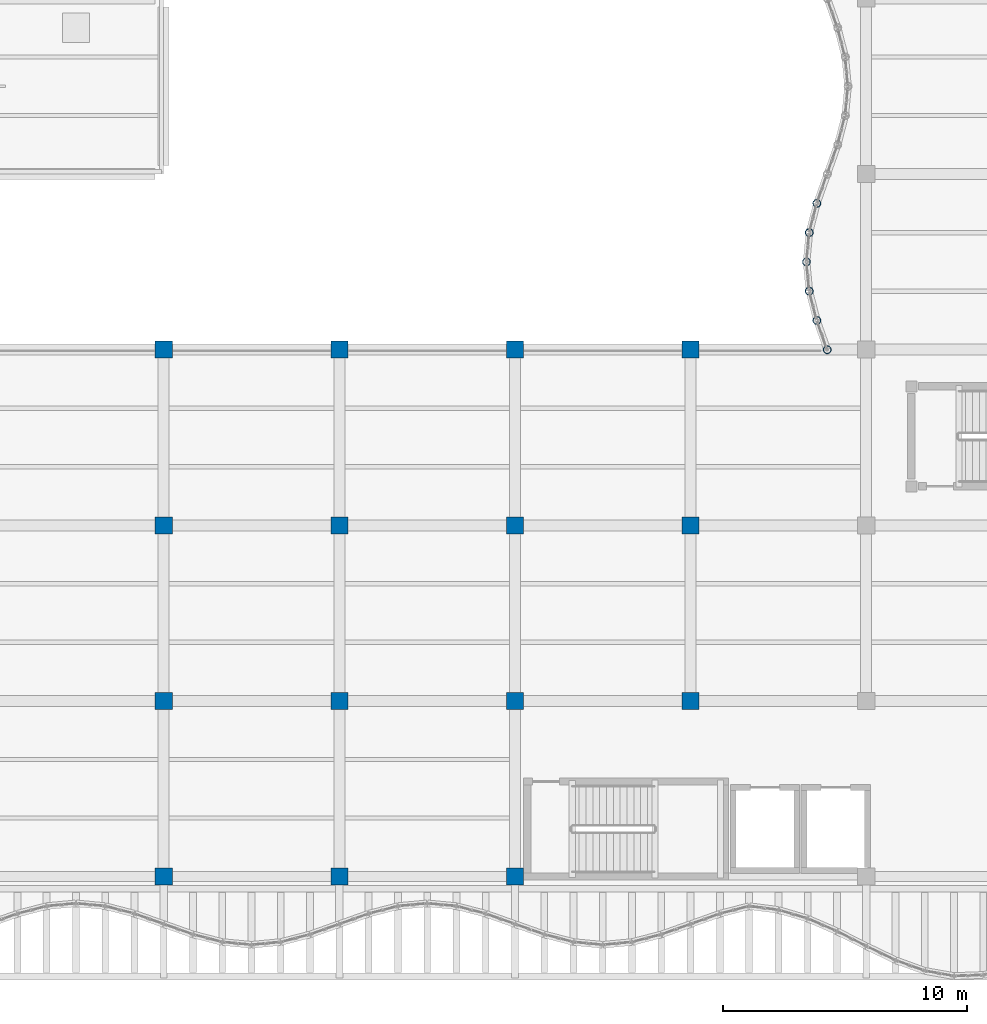
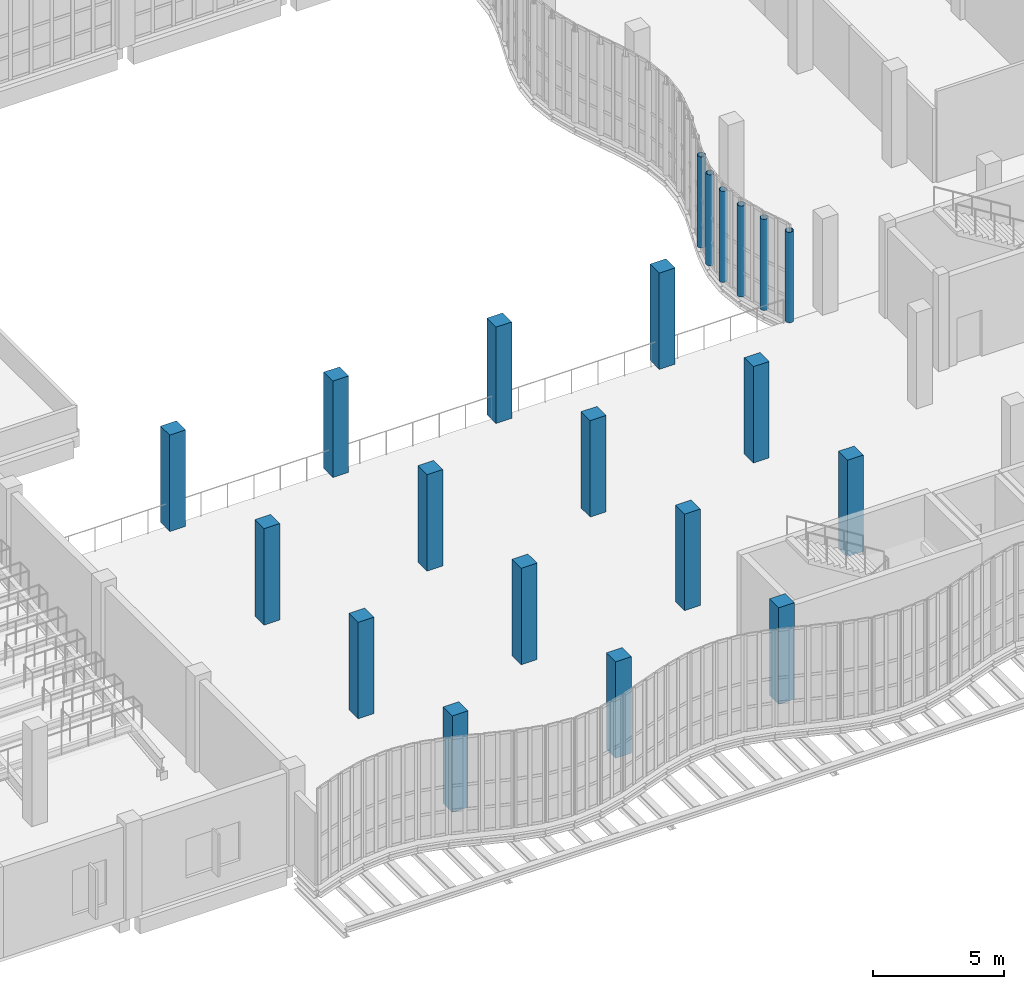
# One storey, part 2 of 108: 21 columns.
"""IFC4 building model written with IfcOpenShell, lengths in metres."""

from ifc_helpers import new_model, si_unit, direction, frame, origin, origin_2d, place, context, subcontext, project, spatial, rectangle, hollow_circle, extrude, material, material_profile, profile_set, type_object, element, save


model = new_model("IFC4")

# Units and contexts
model_context = context("Model", 3, precision=1e-05, world=origin(), true_north=direction((0.0, 1.0)))
body_context = subcontext(model_context, "Body", "Model", "MODEL_VIEW")
ifc_project = project(units=[si_unit("LENGTHUNIT", "METRE"), si_unit("AREAUNIT", "SQUARE_METRE"), si_unit("VOLUMEUNIT", "CUBIC_METRE"), si_unit("PLANEANGLEUNIT", "RADIAN"), si_unit("MASSUNIT", "GRAM", prefix="KILO"), si_unit("THERMODYNAMICTEMPERATUREUNIT", "KELVIN"), si_unit("POWERUNIT", "WATT")], contexts=[model_context])

# Site, building, storey
site_placement = place(None, origin())
site = spatial("IfcSite", under=ifc_project, at=site_placement, CompositionType="ELEMENT")
building_placement = place(site_placement, origin())
building = spatial("IfcBuilding", under=site, at=building_placement, Name="Kaldorven Railside Theatre", CompositionType="ELEMENT")
storey_placement = place(building_placement, frame((0.0, 0.0, 5.39990234375)))
storey = spatial("IfcBuildingStorey", under=building, at=storey_placement, Name="L01", CompositionType="ELEMENT", Elevation=5.39990234375)

# Columns
ifc_material_1 = material(Name="Steel S355", Category="steel")
ifc_material_profile_1 = material_profile(ifc_material_1, hollow_circle(Radius=0.161865234375, WallThickness=0.01611328125, at=origin_2d()), Name="CHS 323.9x16")
ifc_profile_set_1 = profile_set([ifc_material_profile_1], Name="Steel S355")
column_type_1 = type_object("IfcColumnType", Name="COL-CHS324", PredefinedType="COLUMN", material=ifc_profile_set_1)
for number, where, z_axis, x_axis, name in (
    (1, (70.35009765625, 44.39990234375, 0.0), (0.0, 0.0, 1.0), (1.0, 0.0, 0.0), "L01 Courtyard Flute Mullion Column CFS-003"),
    (2, (70.4638671875, 43.199951171875, 0.0), (0.0, 0.0, 1.0), (1.0, 0.0, 0.0), "L01 Courtyard Flute Mullion Column CFS-009"),
    (3, (70.4638671875, 45.60009765625, 0.0), (0.0, 0.0, 1.0), (1.0, 0.0, 0.0), "L01 Courtyard Flute Mullion Column CFS-012"),
    (4, (70.77490234375, 42.0, 0.0), (0.0, 0.0, 1.0), (1.0, 0.0, 0.0), "L01 Courtyard Flute Mullion Column CFS-021"),
    (5, (70.77490234375, 46.800048828125, 0.0), (0.0, 0.0, 1.0), (1.0, 0.0, 0.0), "L01 Courtyard Flute Mullion Column CFS-024"),
):
    element("IfcColumn", number, at=place(storey_placement, frame(where, z_axis=z_axis, x_axis=x_axis)), inside=storey, type_object=column_type_1, Name=name, PredefinedType="COLUMN", context=body_context, shape_type="SweptSolid", body=[
        extrude(hollow_circle(Radius=0.161865234375, WallThickness=0.01611328125, at=origin_2d()), origin(), (0.0, 0.0, 1.0), 4.25),
    ])
column_placement = place(storey_placement, frame((71.199951171875, 40.800048828125, 0.0), z_axis=(0.0, 0.0, 1.0), x_axis=(1.0, 0.0, 0.0)))
element("IfcColumn", 6, at=column_placement, inside=storey, type_object=column_type_1, Name="L01 Courtyard Flute Mullion Column CFS-033", PredefinedType="COLUMN", context=body_context, shape_type="SweptSolid", body=[
    extrude(hollow_circle(Radius=0.161865234375, WallThickness=0.01611328125, at=origin_2d()), origin(), (0.0, 0.0, 1.0), 4.22021484375),
])
ifc_material_2 = material(Name="Concrete C40/50", Category="concrete")
ifc_material_profile_2 = material_profile(ifc_material_2, rectangle(XDim=0.699951171875, YDim=0.699951171875, at=origin_2d()), Name="RC 700x700")
ifc_profile_set_2 = profile_set([ifc_material_profile_2], Name="Concrete C40/50")
column_type_2 = type_object("IfcColumnType", Name="COL-RC700", PredefinedType="COLUMN", material=ifc_profile_set_2)
for number, where, z_axis, x_axis, name in (
    (7, (44.0, 19.199951171875, 0.0), (0.0, 0.0, 1.0), (0.0, 1.0, 0.0), "L01 Column CG-L01-044-019"),
    (8, (51.199951171875, 19.199951171875, 0.0), (0.0, 0.0, 1.0), (1.0, 0.0, 0.0), "L01 Column CG-L01-051-019"),
    (9, (58.39990234375, 19.199951171875, 0.0), (0.0, 0.0, 1.0), (0.0, 1.0, 0.0), "L01 Column CG-L01-058-019"),
    (10, (44.0, 26.39990234375, 0.0), (0.0, 0.0, 1.0), (1.0, 0.0, 0.0), "L01 Column CG-L01-044-026"),
    (11, (51.199951171875, 26.39990234375, 0.0), (0.0, 0.0, 1.0), (0.0, 1.0, 0.0), "L01 Column CG-L01-051-026"),
    (12, (58.39990234375, 26.39990234375, 0.0), (0.0, 0.0, 1.0), (1.0, 0.0, 0.0), "L01 Column CG-L01-058-026"),
    (13, (65.60009765625, 26.39990234375, 0.0), (0.0, 0.0, 1.0), (1.0, 0.0, 0.0), "L01 Column CG-L01-065-026"),
    (14, (44.0, 33.60009765625, 0.0), (0.0, 0.0, 1.0), (0.0, 1.0, 0.0), "L01 Column CG-L01-044-033"),
    (15, (51.199951171875, 33.60009765625, 0.0), (0.0, 0.0, 1.0), (1.0, 0.0, 0.0), "L01 Column CG-L01-051-033"),
    (16, (58.39990234375, 33.60009765625, 0.0), (0.0, 0.0, 1.0), (1.0, 0.0, 0.0), "L01 Column CG-L01-058-033"),
    (17, (65.60009765625, 33.60009765625, 0.0), (0.0, 0.0, 1.0), (0.0, 1.0, 0.0), "L01 Column CG-L01-065-033"),
    (18, (44.0, 40.800048828125, 0.0), (0.0, 0.0, 1.0), (1.0, 0.0, 0.0), "L01 Column CG-L01-044-040"),
    (19, (51.199951171875, 40.800048828125, 0.0), (0.0, 0.0, 1.0), (1.0, 0.0, 0.0), "L01 Column CG-L01-051-040"),
    (20, (58.39990234375, 40.800048828125, 0.0), (0.0, 0.0, 1.0), (0.0, 1.0, 0.0), "L01 Column CG-L01-058-040"),
    (21, (65.60009765625, 40.800048828125, 0.0), (0.0, 0.0, 1.0), (1.0, 0.0, 0.0), "L01 Column CG-L01-065-040"),
):
    element("IfcColumn", number, at=place(storey_placement, frame(where, z_axis=z_axis, x_axis=x_axis)), inside=storey, type_object=column_type_2, Name=name, PredefinedType="COLUMN", context=body_context, shape_type="SweptSolid", body=[
        extrude(rectangle(XDim=0.699951171875, YDim=0.699951171875, at=origin_2d()), origin(), (0.0, 0.0, 1.0), 4.5),
    ])

save(model, "model.ifc")
